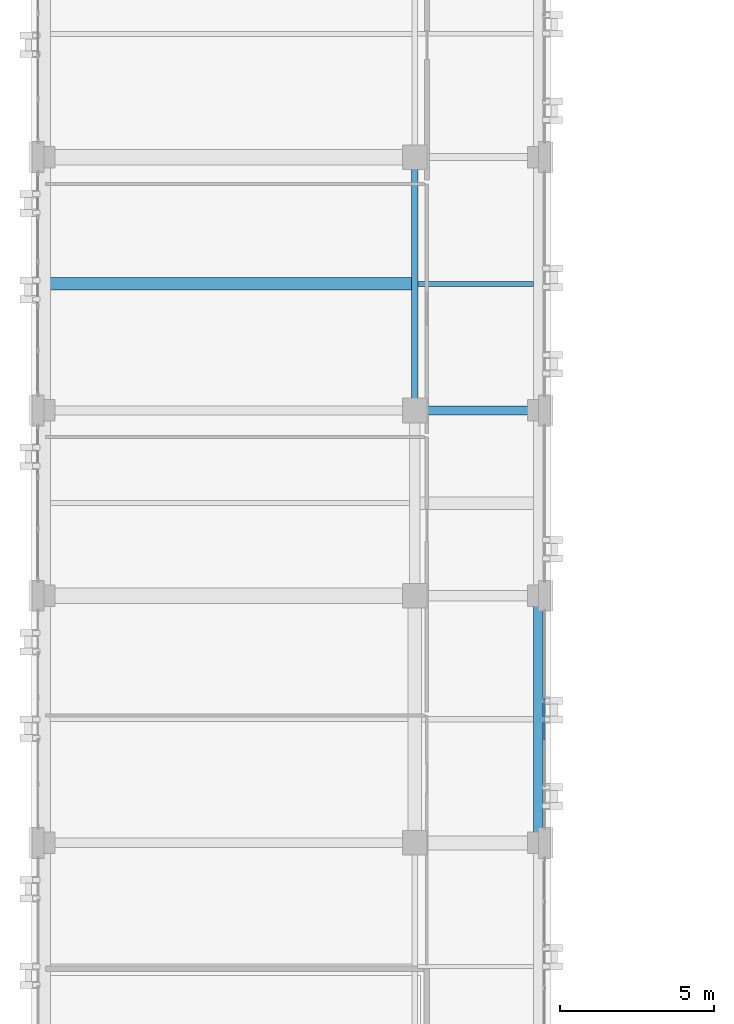
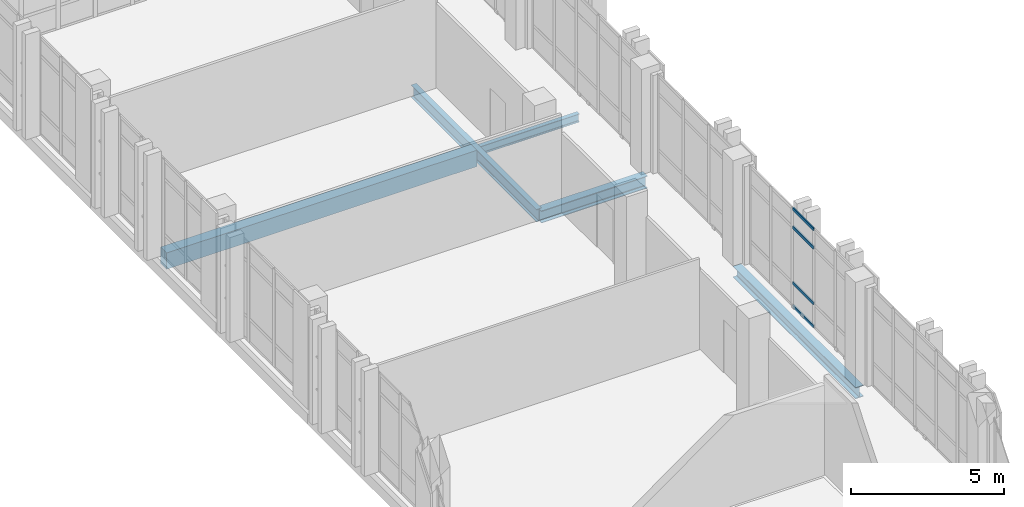
# One storey, part 69 of 158: 5 beams, 4 members, 1 element without a shape of its own.
"""IFC4 building model written with IfcOpenShell, lengths in metres."""

import ifcopenshell
import ifcopenshell.guid

model = None  # the IFC model being written
_history = None  # IfcOwnerHistory: only IFC2X3 demands one
_inside = {}  # id of a spatial element -> (the spatial element, [elements in it])
_under = {}  # id of a project, library or spatial element -> (it, [spatial elements below it])
_declared = {}  # id of a project -> (the project, [libraries it declares])
_typed = {}  # id of a type object -> (the type object, [elements of that type])
_made_of = {}  # id of a material, layer set ... -> (it, [elements and type objects made of it])


def new_model(schema):
    """Start an empty IFC model of exactly this schema.

    Asked for "IFC4X3", IfcOpenShell would pick the latest addendum, in which some entities
    have other attributes; the version numbers below select the first issue.
    IFC2X3 requires an IfcOwnerHistory on every rooted entity: one is made here for all.
    """
    global model, _history
    if schema == "IFC4X3":
        model = ifcopenshell.file(schema_version=(4, 3, 0, 0))
    else:
        model = ifcopenshell.file(schema=schema)
    _inside.clear()
    _under.clear()
    _declared.clear()
    _typed.clear()
    _made_of.clear()
    _history = None
    if model.schema == "IFC2X3":
        org = make("IfcOrganization", Name="unknown")
        user = make(
            "IfcPersonAndOrganization",
            ThePerson=make("IfcPerson", FamilyName="unknown"),
            TheOrganization=org,
        )
        app = make(
            "IfcApplication",
            ApplicationDeveloper=org,
            Version="unknown",
            ApplicationFullName="unknown",
            ApplicationIdentifier="unknown",
        )
        _history = make(
            "IfcOwnerHistory",
            OwningUser=user,
            OwningApplication=app,
            ChangeAction="ADDED",
            CreationDate=0,
        )
    return model


def make(cls, **values):
    """One entity of the class cls with the attributes given. An attribute that is None is left unset."""
    return model.create_entity(
        cls, **{name: value for name, value in values.items() if value is not None}
    )


def rooted(cls, **values):
    """An entity with a GlobalId (a new one), such as an element, a storey or a relation."""
    return make(cls, GlobalId=ifcopenshell.guid.new(), OwnerHistory=_history, **values)


def si_unit(unit_type, name, prefix=None):
    """IfcSIUnit, for example si_unit("LENGTHUNIT", "METRE", prefix="MILLI")."""
    return make("IfcSIUnit", UnitType=unit_type, Prefix=prefix, Name=name)


def assignment(units):
    """IfcUnitAssignment: the units of a project."""
    return None if units is None else make("IfcUnitAssignment", Units=units)


def point(xyz):
    """IfcCartesianPoint."""
    return None if xyz is None else make("IfcCartesianPoint", Coordinates=xyz)


def direction(xyz):
    """IfcDirection."""
    return None if xyz is None else make("IfcDirection", DirectionRatios=xyz)


def frame(location, z_axis=None, x_axis=None):
    """IfcAxis2Placement3D, a coordinate frame: its origin and axes. An axis left out is left unset."""
    return make(
        "IfcAxis2Placement3D",
        Location=point(location),
        Axis=direction(z_axis),
        RefDirection=direction(x_axis),
    )


def frame_2d(location, x_axis=None):
    """IfcAxis2Placement2D, a coordinate frame in the plane: its origin and x axis."""
    return make(
        "IfcAxis2Placement2D", Location=point(location), RefDirection=direction(x_axis)
    )


def origin():
    """The frame at (0, 0, 0) with its axes left unset."""
    return frame((0.0, 0.0, 0.0))


def origin_2d():
    """The frame at (0, 0) in the plane with its x axis left unset."""
    return frame_2d((0.0, 0.0))


def place(relative_to, where):
    """IfcLocalPlacement: puts the frame where relative to a parent placement (None: the world)."""
    return make(
        "IfcLocalPlacement", PlacementRelTo=relative_to, RelativePlacement=where
    )


def context(
    kind, dimensions, precision=None, world=None, true_north=None, identifier=None
):
    """IfcGeometricRepresentationContext, for example the 3D "Model" context."""
    return make(
        "IfcGeometricRepresentationContext",
        ContextIdentifier=identifier,
        ContextType=kind,
        CoordinateSpaceDimension=dimensions,
        Precision=precision,
        WorldCoordinateSystem=world,
        TrueNorth=true_north,
    )


def subcontext(parent, identifier, kind, view, scale=None):
    """IfcGeometricRepresentationSubContext, for example "Body" below "Model"."""
    return make(
        "IfcGeometricRepresentationSubContext",
        ContextIdentifier=identifier,
        ContextType=kind,
        ParentContext=parent,
        TargetScale=scale,
        TargetView=view,
    )


def project(units=None, contexts=None):
    """IfcProject with its units and contexts."""
    return rooted(
        "IfcProject",
        Name="project",
        RepresentationContexts=contexts,
        UnitsInContext=assignment(units),
    )


def spatial(cls, under=None, at=None, **own):
    """A site, building, storey or space (cls), placed at a placement, below another one or the project."""
    s = rooted(cls, ObjectPlacement=at, **own)
    if under is not None:
        _under.setdefault(under.id(), (under, []))[1].append(s)
    return s


def profile(cls, at=None, kind="AREA", **sizes):
    """A parametric profile (cls). Its sizes go by their IFC names, for example OverallWidth=200.0."""
    return make(cls, ProfileType=kind, Position=at, **sizes)


def rectangle(**sizes):
    """IfcRectangleProfileDef."""
    return profile("IfcRectangleProfileDef", **sizes)


def hollow_rectangle(**sizes):
    """IfcRectangleHollowProfileDef."""
    return profile("IfcRectangleHollowProfileDef", **sizes)


def i_section(**sizes):
    """IfcIShapeProfileDef."""
    return profile("IfcIShapeProfileDef", **sizes)


def extrude(swept, where, along, depth):
    """IfcExtrudedAreaSolid: the profile swept, set in the frame where, extruded along a direction by depth."""
    return make(
        "IfcExtrudedAreaSolid",
        SweptArea=swept,
        Position=where,
        ExtrudedDirection=direction(along),
        Depth=depth,
    )


def shape(context_of_items, identifier, shape_type, items):
    """IfcShapeRepresentation: the items that make up one representation, for example the "Body"."""
    return make(
        "IfcShapeRepresentation",
        ContextOfItems=context_of_items,
        RepresentationIdentifier=identifier,
        RepresentationType=shape_type,
        Items=items,
    )


def material(Name=None, Category=None):
    """IfcMaterial."""
    return make("IfcMaterial", Name=Name, Category=Category)


def layer(
    of_material, thickness, ventilated=None, Name=None, Category=None, Priority=None
):
    """IfcMaterialLayer: one layer of a wall or slab, of a material (None: an air gap)."""
    return make(
        "IfcMaterialLayer",
        Material=of_material,
        LayerThickness=thickness,
        IsVentilated=ventilated,
        Name=Name,
        Category=Category,
        Priority=Priority,
    )


def layer_set(layers, Name=None):
    """IfcMaterialLayerSet."""
    return make("IfcMaterialLayerSet", MaterialLayers=layers, LayerSetName=Name)


def material_profile(
    of_material, cross_section, Name=None, Category=None, Priority=None
):
    """IfcMaterialProfile: a cross section and its material."""
    return make(
        "IfcMaterialProfile",
        Name=Name,
        Material=of_material,
        Profile=cross_section,
        Priority=Priority,
        Category=Category,
    )


def profile_set(profiles, Name=None, composite=None):
    """IfcMaterialProfileSet."""
    return make(
        "IfcMaterialProfileSet",
        Name=Name,
        MaterialProfiles=profiles,
        CompositeProfile=composite,
    )


def made_of(thing, what):
    """Note that an element or type object is made of a material, layer set ...; save() writes the relation."""
    if what is not None:
        _made_of.setdefault(what.id(), (what, []))[1].append(thing)
    return thing


def type_object(cls, material=None, **own):
    """A type object (cls), such as IfcWallType, which elements share."""
    return made_of(rooted(cls, **own), material)


def element(
    cls,
    number,
    at=None,
    inside=None,
    cuts=None,
    type_object=None,
    material=None,
    context=None,
    identifier="Body",
    shape_type=None,
    held_by="IfcProductDefinitionShape",
    body=None,
    shapes=None,
    **own,
):
    """One element of the class cls, such as IfcWall. Its Tag is "e" and its number.

    at: its placement. inside: the storey or other place that contains it. cuts: it is an
    opening in that element (IfcRelVoidsElement). A single representation is given by context,
    identifier, shape_type and body (its items); several are given by shapes. held_by: the class
    of the entity that holds the representations. save() writes the other relations.
    """
    e = rooted(cls, Tag="e%d" % number, ObjectPlacement=at, **own)
    if body is not None:
        shapes = [shape(context, identifier, shape_type, body)]
    if shapes is not None:
        e.Representation = make(held_by, Representations=shapes)
    if inside is not None:
        _inside.setdefault(inside.id(), (inside, []))[1].append(e)
    if cuts is not None:
        rooted(
            "IfcRelVoidsElement", RelatingBuildingElement=cuts, RelatedOpeningElement=e
        )
    if type_object is not None:
        _typed.setdefault(type_object.id(), (type_object, []))[1].append(e)
    return made_of(e, material)


def aggregate(whole, parts):
    """IfcRelAggregates: a whole, such as a stair, and the parts it consists of."""
    return rooted("IfcRelAggregates", RelatingObject=whole, RelatedObjects=parts)


def save(model, path):
    """Write the relations noted so far, then the file.

    IfcRelAggregates (storeys below a building ...), IfcRelContainedInSpatialStructure (elements
    in a storey), IfcRelDefinesByType, IfcRelAssociatesMaterial and IfcRelDeclares: one each for
    every whole, place, type object, material and project.
    """
    for whole, parts in _under.values():
        aggregate(whole, parts)
    for where, things in _inside.values():
        rooted(
            "IfcRelContainedInSpatialStructure",
            RelatedElements=things,
            RelatingStructure=where,
        )
    for kind, things in _typed.values():
        rooted("IfcRelDefinesByType", RelatedObjects=things, RelatingType=kind)
    for what, things in _made_of.values():
        rooted("IfcRelAssociatesMaterial", RelatedObjects=things, RelatingMaterial=what)
    for by, libraries in _declared.values():
        rooted("IfcRelDeclares", RelatingContext=by, RelatedDefinitions=libraries)
    model.write(path)


model = new_model("IFC4")

# Units and contexts
model_context = context("Model", 3, precision=1e-05, world=origin(), true_north=direction((0.0, 1.0)))
body_context = subcontext(model_context, "Body", "Model", "MODEL_VIEW")
ifc_project = project(units=[si_unit("LENGTHUNIT", "METRE"), si_unit("AREAUNIT", "SQUARE_METRE"), si_unit("VOLUMEUNIT", "CUBIC_METRE"), si_unit("PLANEANGLEUNIT", "RADIAN"), si_unit("MASSUNIT", "GRAM", prefix="KILO")], contexts=[model_context])

# Site, building, storey
site_placement = place(None, origin())
site = spatial("IfcSite", under=ifc_project, at=site_placement, CompositionType="ELEMENT")
building_placement = place(site_placement, origin())
building = spatial("IfcBuilding", under=site, at=building_placement, Name="Qalavern Law Courts", CompositionType="ELEMENT")
storey_placement = place(building_placement, frame((0.0, 0.0, 18.60009765625)))
storey = spatial("IfcBuildingStorey", under=building, at=storey_placement, Name="L04", CompositionType="ELEMENT", Elevation=18.60009765625)

# Curtain wall, members
ifc_material_1 = material(Name="Anodised aluminium and insulated glazing", Category="aluminium")
ifc_layer = layer(ifc_material_1, 0.159912109375)
ifc_layer_set = layer_set([ifc_layer], Name="Anodised aluminium and insulated glazing")
curtain_wall_type = type_object("IfcCurtainWallType", Name="ENV-CW-CHAMB", PredefinedType="USERDEFINED", material=ifc_layer_set)
curtain_wall_placement = place(storey_placement, origin())
curtain_wall = element("IfcCurtainWall", 1, at=curtain_wall_placement, inside=storey, type_object=curtain_wall_type, Name="V3 unitised curtain wall L04 east 4", ObjectType="UNITISED CURTAIN WALL", PredefinedType="USERDEFINED")
ifc_material_2 = material(Name="Anodised aluminium", Category="aluminium")
ifc_material_profile_1 = material_profile(ifc_material_2, hollow_rectangle(XDim=0.048095703125, YDim=0.1201171875, WallThickness=0.00390625, at=origin_2d()), Name="ALU TRANSOM 48x120")
ifc_profile_set_1 = profile_set([ifc_material_profile_1], Name="Anodised aluminium")
member_type = type_object("IfcMemberType", Name="ENV-CWT-48x120", PredefinedType="USERDEFINED", material=ifc_profile_set_1)
member_1_placement = place(storey_placement, frame((18.60009765625, 68.72412109375, 0.02392578125), z_axis=(0.0, 1.0, 0.0), x_axis=(-1.0, 0.0, 0.0)))
member_1 = element("IfcMember", 2, at=member_1_placement, type_object=member_type, Name="CW-04 transom 3.1", ObjectType="TRANSOM", PredefinedType="USERDEFINED", context=body_context, shape_type="SweptSolid", body=[
    extrude(hollow_rectangle(XDim=0.048095703125, YDim=0.1201171875, WallThickness=0.00390625, at=origin_2d()), origin(), (0.0, 0.0, 1.0), 1.351806640625),
])
member_2_placement = place(storey_placement, frame((18.60009765625, 68.72412109375, 0.949951171875), z_axis=(0.0, 1.0, 0.0), x_axis=(-1.0, 0.0, 0.0)))
member_2 = element("IfcMember", 3, at=member_2_placement, type_object=member_type, Name="CW-04 transom 3.2", ObjectType="TRANSOM", PredefinedType="USERDEFINED", context=body_context, shape_type="SweptSolid", body=[
    extrude(hollow_rectangle(XDim=0.048095703125, YDim=0.1201171875, WallThickness=0.00390625, at=origin_2d()), origin(), (0.0, 0.0, 1.0), 1.351806640625),
])
member_3_placement = place(storey_placement, frame((18.60009765625, 68.72412109375, 3.1748046875), z_axis=(0.0, 1.0, 0.0), x_axis=(-1.0, 0.0, 0.0)))
member_3 = element("IfcMember", 4, at=member_3_placement, type_object=member_type, Name="CW-04 transom 3.3", ObjectType="TRANSOM", PredefinedType="USERDEFINED", context=body_context, shape_type="SweptSolid", body=[
    extrude(hollow_rectangle(XDim=0.048095703125, YDim=0.1201171875, WallThickness=0.00390625, at=origin_2d()), origin(), (0.0, 0.0, 1.0), 1.351806640625),
])
member_4_placement = place(storey_placement, frame((18.60009765625, 68.72412109375, 3.90087890625), z_axis=(0.0, 1.0, 0.0), x_axis=(-1.0, 0.0, 0.0)))
member_4 = element("IfcMember", 5, at=member_4_placement, type_object=member_type, Name="CW-04 transom 3.4", ObjectType="TRANSOM", PredefinedType="USERDEFINED", context=body_context, shape_type="SweptSolid", body=[
    extrude(hollow_rectangle(XDim=0.048095703125, YDim=0.1201171875, WallThickness=0.00390625, at=origin_2d()), origin(), (0.0, 0.0, 1.0), 1.351806640625),
])
aggregate(curtain_wall, [member_1, member_2, member_3, member_4])

# Beams
ifc_material_3 = material(Name="Steel S355", Category="steel")
ifc_material_profile_2 = material_profile(ifc_material_3, i_section(OverallWidth=0.300048828125, OverallDepth=0.489990234375, WebThickness=0.011962890625, FlangeThickness=0.02294921875, FilletRadius=0.027099609375, at=origin_2d()), Name="HEA 500")
ifc_profile_set_2 = profile_set([ifc_material_profile_2], Name="Steel S355")
beam_type_1 = type_object("IfcBeamType", Name="STR-BM-HEA500", PredefinedType="BEAM", material=ifc_profile_set_2)
beam_1_placement = place(storey_placement, frame((14.39990234375, 79.39990234375, -0.525146484375), z_axis=(1.0, 0.0, 0.0), x_axis=(0.0, 1.0, 0.0)))
element("IfcBeam", 6, at=beam_1_placement, inside=storey, type_object=beam_type_1, Name="V3 X-beam 6-2 L04", PredefinedType="BEAM", context=body_context, shape_type="SweptSolid", body=[
    extrude(i_section(OverallWidth=0.300048828125, OverallDepth=0.489990234375, WebThickness=0.011962890625, FlangeThickness=0.02294921875, FilletRadius=0.027099609375, at=origin_2d()), origin(), (0.0, 0.0, 1.0), 4.0),
])
ifc_material_profile_3 = material_profile(ifc_material_3, i_section(OverallWidth=0.199951171875, OverallDepth=0.5, WebThickness=0.01025390625, FlangeThickness=0.01611328125, FilletRadius=0.02099609375, at=origin_2d()), Name="IPE 500")
ifc_profile_set_3 = profile_set([ifc_material_profile_3], Name="Steel S355")
beam_type_2 = type_object("IfcBeamType", Name="STR-BM-IPE500", PredefinedType="BEAM", material=ifc_profile_set_3)
beam_2_placement = place(storey_placement, frame((14.39990234375, 79.39990234375, -0.530029296875), z_axis=(0.0, 1.0, 0.0), x_axis=(-1.0, 0.0, 0.0)))
element("IfcBeam", 7, at=beam_2_placement, inside=storey, type_object=beam_type_2, Name="V3 Y-beam 2-6 L04", PredefinedType="BEAM", context=body_context, shape_type="SweptSolid", body=[
    extrude(i_section(OverallWidth=0.199951171875, OverallDepth=0.5, WebThickness=0.01025390625, FlangeThickness=0.01611328125, FilletRadius=0.02099609375, at=origin_2d()), origin(), (0.0, 0.0, 1.0), 8.2001953125),
])
ifc_material_profile_4 = material_profile(ifc_material_3, i_section(OverallWidth=0.159912109375, OverallDepth=0.330078125, WebThickness=0.007568359375, FlangeThickness=0.011474609375, FilletRadius=0.01806640625, at=origin_2d()), Name="IPE 330")
ifc_profile_set_4 = profile_set([ifc_material_profile_4], Name="Steel S355")
beam_type_3 = type_object("IfcBeamType", Name="STR-JST-IPE330", PredefinedType="JOIST", material=ifc_profile_set_4)
beam_3_placement = place(storey_placement, frame((14.498046875, 83.5, -0.445068359375), z_axis=(1.0, 0.0, 0.0), x_axis=(0.0, 1.0, 0.0)))
element("IfcBeam", 8, at=beam_3_placement, inside=storey, type_object=beam_type_3, Name="V3 secondary joist 2.6.1 L04", PredefinedType="JOIST", context=body_context, shape_type="SweptSolid", body=[
    extrude(i_section(OverallWidth=0.159912109375, OverallDepth=0.330078125, WebThickness=0.007568359375, FlangeThickness=0.011474609375, FilletRadius=0.01806640625, at=origin_2d()), origin(), (0.0, 0.0, 1.0), 3.75390625),
])
ifc_material_4 = material(Name="Concrete C35/45", Category="concrete")
ifc_material_profile_5 = material_profile(ifc_material_4, rectangle(XDim=0.39990234375, YDim=0.64990234375, at=origin_2d()), Name="RC 400x650")
ifc_profile_set_5 = profile_set([ifc_material_profile_5], Name="Concrete C35/45")
beam_type_4 = type_object("IfcBeamType", Name="STR-JST-RC400x650", PredefinedType="JOIST", material=ifc_profile_set_5)
beam_4_placement = place(storey_placement, frame((2.597900390625, 83.5, -0.60498046875), z_axis=(1.0, 0.0, 0.0), x_axis=(0.0, 1.0, 0.0)))
element("IfcBeam", 9, at=beam_4_placement, inside=storey, type_object=beam_type_4, Name="V3 secondary joist 1.6.1 L04", PredefinedType="JOIST", context=body_context, shape_type="SweptSolid", body=[
    extrude(rectangle(XDim=0.39990234375, YDim=0.64990234375, at=origin_2d()), origin(), (0.0, 0.0, 1.0), 11.7041015625),
])
ifc_material_profile_6 = material_profile(ifc_material_3, i_section(OverallWidth=0.300048828125, OverallDepth=0.449951171875, WebThickness=0.013916015625, FlangeThickness=0.02587890625, FilletRadius=0.027099609375, at=origin_2d()), Name="HEB 450")
ifc_profile_set_6 = profile_set([ifc_material_profile_6], Name="Steel S355")
beam_type_5 = type_object("IfcBeamType", Name="STR-SP-HEB450", PredefinedType="SPANDREL", material=ifc_profile_set_6)
beam_5_placement = place(storey_placement, frame((18.39990234375, 65.39990234375, -0.505126953125), z_axis=(0.0, 1.0, 0.0), x_axis=(-1.0, 0.0, 0.0)))
element("IfcBeam", 10, at=beam_5_placement, inside=storey, type_object=beam_type_5, Name="V3 Y-beam 3-4 L04", PredefinedType="SPANDREL", context=body_context, shape_type="SweptSolid", body=[
    extrude(i_section(OverallWidth=0.300048828125, OverallDepth=0.449951171875, WebThickness=0.013916015625, FlangeThickness=0.02587890625, FilletRadius=0.027099609375, at=origin_2d()), origin(), (0.0, 0.0, 1.0), 8.0),
])

save(model, "model.ifc")
